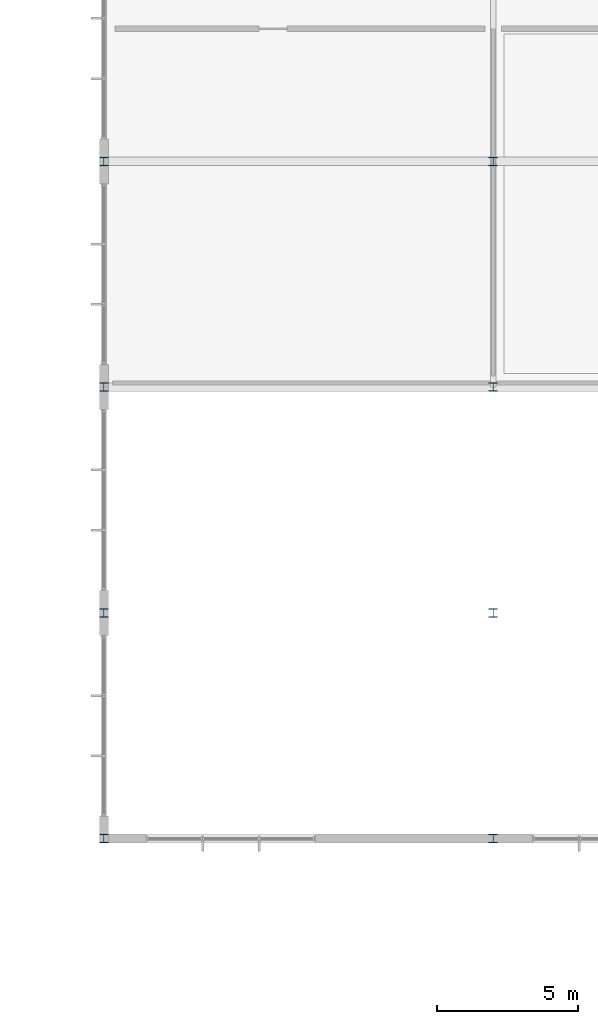
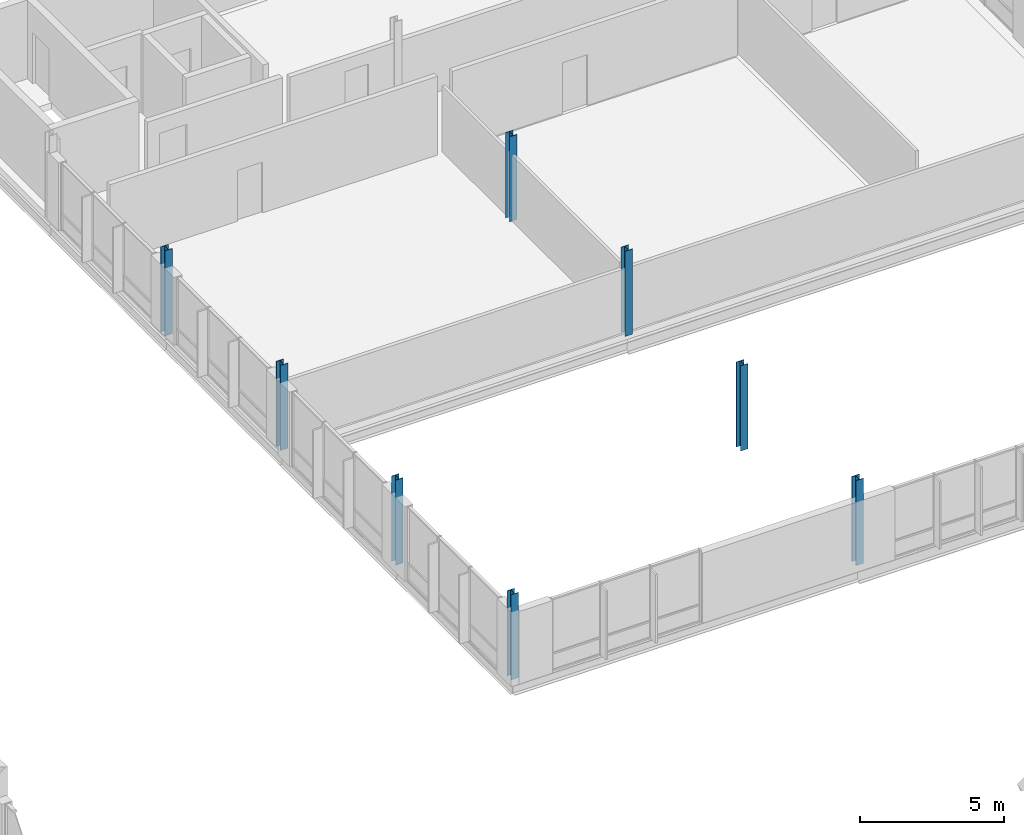
# One storey, part 12 of 189: 8 columns.
"""IFC4 building model written with IfcOpenShell, lengths in metres."""

from ifc_helpers import new_model, si_unit, direction, frame, origin, origin_2d, place, context, subcontext, project, spatial, i_section, extrude, material, material_profile, profile_set, type_object, element, save


model = new_model("IFC4")

# Units and contexts
model_context = context("Model", 3, precision=1e-05, world=origin(), true_north=direction((0.0, 1.0)))
body_context = subcontext(model_context, "Body", "Model", "MODEL_VIEW")
ifc_project = project(units=[si_unit("LENGTHUNIT", "METRE"), si_unit("AREAUNIT", "SQUARE_METRE"), si_unit("VOLUMEUNIT", "CUBIC_METRE"), si_unit("PLANEANGLEUNIT", "RADIAN"), si_unit("MASSUNIT", "GRAM", prefix="KILO")], contexts=[model_context])

# Site, building, storey
site_placement = place(None, origin())
site = spatial("IfcSite", under=ifc_project, at=site_placement, CompositionType="ELEMENT")
building_placement = place(site_placement, origin())
building = spatial("IfcBuilding", under=site, at=building_placement, Name="Zavelmont Quarter", CompositionType="ELEMENT")
storey_placement = place(building_placement, frame((0.0, 0.0, 4.39990234375)))
storey = spatial("IfcBuildingStorey", under=building, at=storey_placement, Name="L01", CompositionType="ELEMENT", Elevation=4.39990234375)

# Columns
ifc_material = material(Name="Steel S355", Category="steel")
ifc_material_profile = material_profile(ifc_material, i_section(OverallWidth=0.300048828125, OverallDepth=0.300048828125, WebThickness=0.010986328125, FlangeThickness=0.01904296875, at=origin_2d()), Name="HEB 300")
ifc_profile_set = profile_set([ifc_material_profile], Name="Steel S355")
column_type = type_object("IfcColumnType", Name="CL10", PredefinedType="COLUMN", material=ifc_profile_set)
for number, where, z_axis, x_axis, name in (
    (1, (133.5, 38.0, 0.0), (0.0, 0.0, 1.0), (1.0, 0.0, 0.0), "L01 column CL10 at 20/G"),
    (2, (133.5, 46.0, 0.0), (0.0, 0.0, 1.0), (1.0, 0.0, 0.0), "L01 column CL10 at 20/H"),
    (3, (133.5, 54.0, 0.0), (0.0, 0.0, 1.0), (1.0, 0.0, 0.0), "L01 column CL10 at 20/J"),
    (4, (133.5, 62.0, 0.0), (0.0, 0.0, 1.0), (1.0, 0.0, 0.0), "L01 column CL10 at 20/K"),
    (5, (147.300048828125, 38.0, 0.0), (0.0, 0.0, 1.0), (1.0, 0.0, 0.0), "L01 column CL10 at 22/G"),
    (6, (147.300048828125, 46.0, 0.0), (0.0, 0.0, 1.0), (1.0, 0.0, 0.0), "L01 column CL10 at 22/H"),
    (7, (147.300048828125, 54.0, 0.0), (0.0, 0.0, 1.0), (1.0, 0.0, 0.0), "L01 column CL10 at 22/J"),
    (8, (147.300048828125, 62.0, 0.0), (0.0, 0.0, 1.0), (1.0, 0.0, 0.0), "L01 column CL10 at 22/K"),
):
    element("IfcColumn", number, at=place(storey_placement, frame(where, z_axis=z_axis, x_axis=x_axis)), inside=storey, type_object=column_type, Name=name, PredefinedType="COLUMN", context=body_context, shape_type="SweptSolid", body=[
        extrude(i_section(OverallWidth=0.300048828125, OverallDepth=0.300048828125, WebThickness=0.010986328125, FlangeThickness=0.01904296875, at=origin_2d()), origin(), (0.0, 0.0, 1.0), 3.60009765625),
    ])

save(model, "model.ifc")
